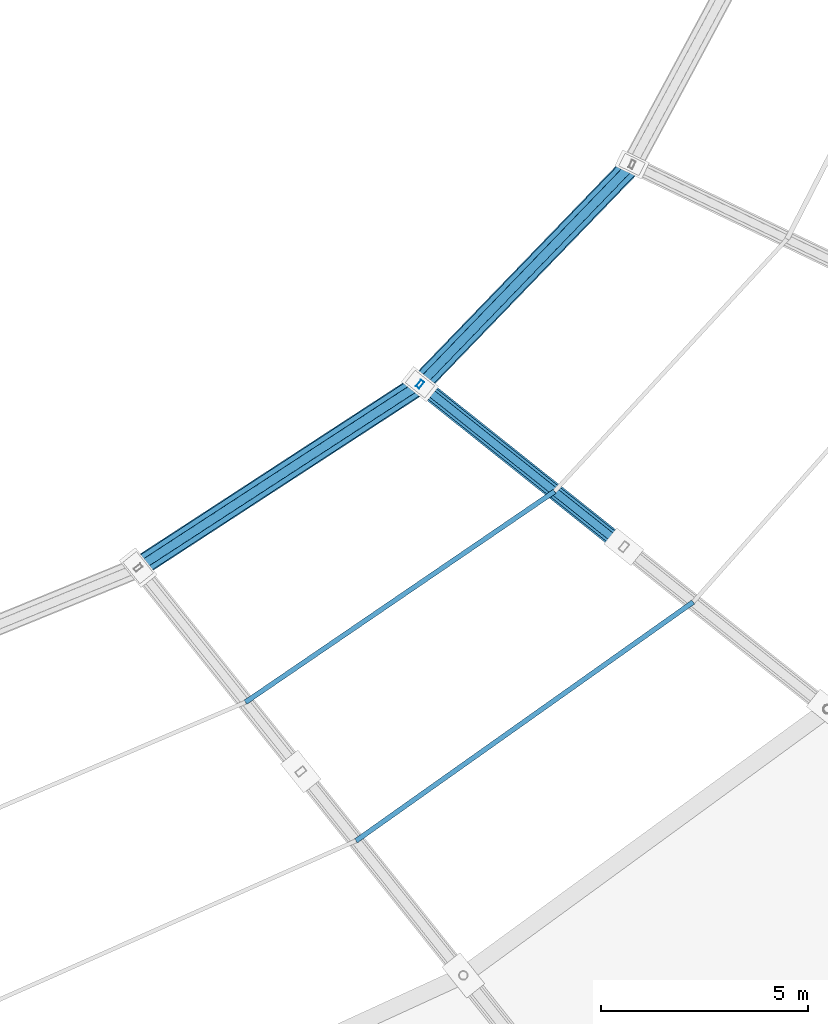
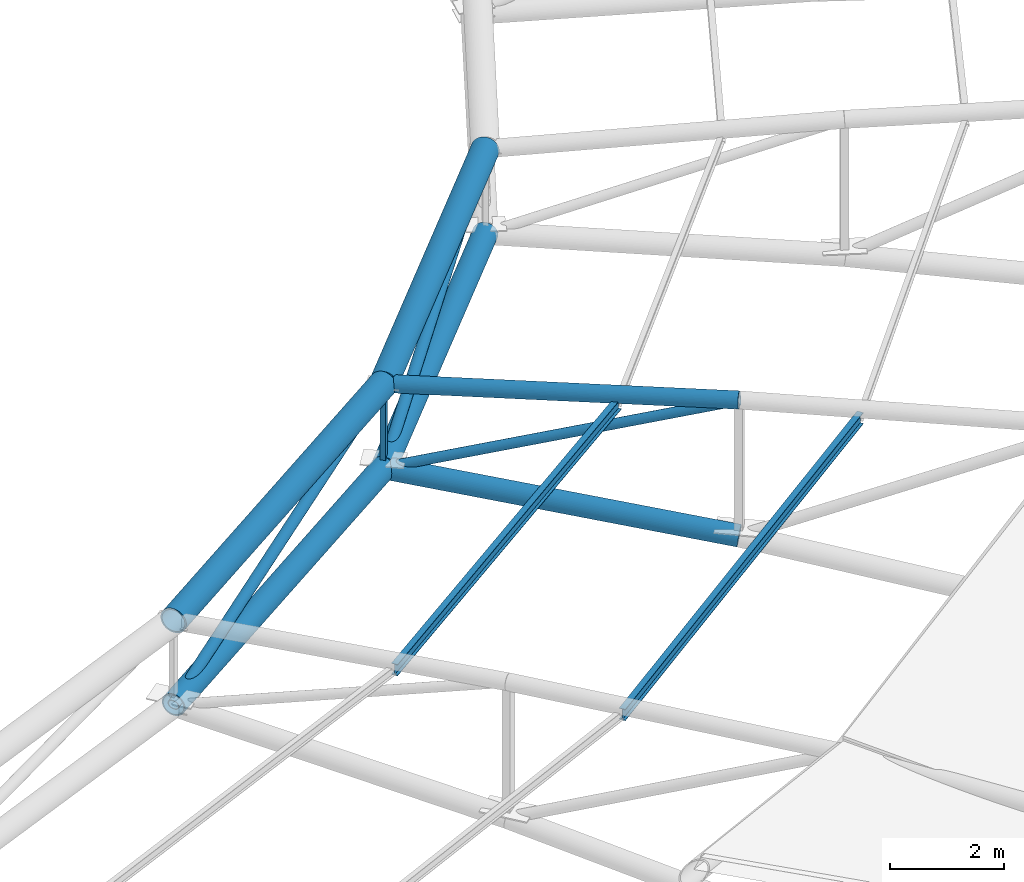
# One storey, part 28 of 108: 12 members.
"""IFC4 building model written with IfcOpenShell, lengths in metres."""

from ifc_helpers import new_model, si_unit, direction, frame, origin, origin_2d, place, context, subcontext, project, spatial, hollow_rectangle, hollow_circle, i_section, extrude, material, material_profile, profile_set, type_object, element, save


model = new_model("IFC4")

# Units and contexts
model_context = context("Model", 3, precision=1e-05, world=origin(), true_north=direction((0.0, 1.0)))
body_context = subcontext(model_context, "Body", "Model", "MODEL_VIEW")
ifc_project = project(units=[si_unit("LENGTHUNIT", "METRE"), si_unit("AREAUNIT", "SQUARE_METRE"), si_unit("VOLUMEUNIT", "CUBIC_METRE"), si_unit("PLANEANGLEUNIT", "RADIAN"), si_unit("MASSUNIT", "GRAM", prefix="KILO")], contexts=[model_context])

# Site, building, storey
site_placement = place(None, origin())
site = spatial("IfcSite", under=ifc_project, at=site_placement, CompositionType="ELEMENT")
building_placement = place(site_placement, origin())
building = spatial("IfcBuilding", under=site, at=building_placement, Name="Zevraka Park Crest Stadium", CompositionType="ELEMENT")
storey_placement = place(building_placement, frame((0.0, 0.0, 29.39990234375)))
storey = spatial("IfcBuildingStorey", under=building, at=storey_placement, Name="RF", CompositionType="ELEMENT", Elevation=29.39990234375)

# Members
ifc_material_1 = material(Name="Steel S355", Category="steel")
ifc_material_profile_1 = material_profile(ifc_material_1, i_section(OverallWidth=0.1201171875, OverallDepth=0.239990234375, WebThickness=0.006103515625, FlangeThickness=0.009765625, at=origin_2d()), Name="IPE 240")
ifc_profile_set_1 = profile_set([ifc_material_profile_1], Name="Steel S355")
member_type_1 = type_object("IfcMemberType", Name="PR01", PredefinedType="PURLIN", material=ifc_profile_set_1)
member_1_placement = place(storey_placement, frame((144.073974609375, 63.509033203125, 9.153076171875), z_axis=(0.816040825272, 0.577994265966, 0.0), x_axis=(-0.577994265966, 0.816040825272, 0.0)))
element("IfcMember", 1, at=member_1_placement, inside=storey, type_object=member_type_1, Name="Canopy Roof Purlin PR01 INNER-25-1", PredefinedType="PURLIN", context=body_context, shape_type="SweptSolid", body=[
    extrude(i_section(OverallWidth=0.1201171875, OverallDepth=0.239990234375, WebThickness=0.006103515625, FlangeThickness=0.009765625, at=origin_2d()), origin(), (0.0, 0.0, 1.0), 9.981201171875),
])
member_2_placement = place(storey_placement, frame((141.402099609375, 66.85791015625, 9.01708984375), z_axis=(0.82621648522, 0.563352748774, 0.0), x_axis=(-0.563352748774, 0.82621648522, 0.0)))
element("IfcMember", 2, at=member_2_placement, inside=storey, type_object=member_type_1, Name="Canopy Roof Purlin PR01 INNER-25-2", PredefinedType="PURLIN", context=body_context, shape_type="SweptSolid", body=[
    extrude(i_section(OverallWidth=0.1201171875, OverallDepth=0.239990234375, WebThickness=0.006103515625, FlangeThickness=0.009765625, at=origin_2d()), origin(), (0.0, 0.0, 1.0), 9.038818359375),
])
ifc_material_2 = material(Name="Steel S355", Category="steel")
ifc_material_profile_2 = material_profile(ifc_material_2, hollow_circle(Radius=0.25390625, WallThickness=0.030029296875, at=origin_2d()), Name="CHS 508.0x30")
ifc_profile_set_2 = profile_set([ifc_material_profile_2], Name="Steel S355")
member_type_2 = type_object("IfcMemberType", Name="TC01", PredefinedType="CHORD", material=ifc_profile_set_2)
member_3_placement = place(storey_placement, frame((138.81005859375, 70.10888671875, 9.0), z_axis=(0.838029398843, 0.545625078855, 0.0), x_axis=(-0.545625078855, 0.838029398843, 0.0)))
element("IfcMember", 3, at=member_3_placement, inside=storey, type_object=member_type_2, Name="Roof Inner Oculus Compression-Tension Ring TC01 25", PredefinedType="CHORD", context=body_context, shape_type="SweptSolid", body=[
    extrude(hollow_circle(Radius=0.25390625, WallThickness=0.030029296875, at=origin_2d()), origin(), (0.0, 0.0, 1.0), 8.124755859375),
])
member_4_placement = place(storey_placement, frame((145.618896484375, 74.5419921875, 9.0), z_axis=(0.694386610614, 0.7196021366, 0.0), x_axis=(-0.7196021366, 0.694386610614, 0.0)))
element("IfcMember", 4, at=member_4_placement, inside=storey, type_object=member_type_2, Name="Roof Inner Oculus Compression-Tension Ring TC01 26", PredefinedType="CHORD", context=body_context, shape_type="SweptSolid", body=[
    extrude(hollow_circle(Radius=0.25390625, WallThickness=0.030029296875, at=origin_2d()), origin(), (0.0, 0.0, 1.0), 7.377685546875),
])
ifc_material_3 = material(Name="Steel S355", Category="steel")
ifc_material_profile_3 = material_profile(ifc_material_3, hollow_circle(Radius=0.228515625, WallThickness=0.02490234375, at=origin_2d()), Name="CHS 457.0x25")
ifc_profile_set_3 = profile_set([ifc_material_profile_3], Name="Steel S355")
member_type_3 = type_object("IfcMemberType", Name="TC02", PredefinedType="CHORD", material=ifc_profile_set_3)
member_5_placement = place(storey_placement, frame((138.81005859375, 70.10888671875, 7.2001953125), z_axis=(0.838029398843, 0.545625078855, 0.0), x_axis=(-0.545625078855, 0.838029398843, 0.0)))
element("IfcMember", 5, at=member_5_placement, inside=storey, type_object=member_type_3, Name="Roof Inner Oculus Bottom Ring TC02 25", PredefinedType="CHORD", context=body_context, shape_type="SweptSolid", body=[
    extrude(hollow_circle(Radius=0.228515625, WallThickness=0.02490234375, at=origin_2d()), origin(), (0.0, 0.0, 1.0), 8.124755859375),
])
member_6_placement = place(storey_placement, frame((145.618896484375, 74.5419921875, 7.2001953125), z_axis=(0.694386610614, 0.7196021366, 0.0), x_axis=(-0.7196021366, 0.694386610614, 0.0)))
element("IfcMember", 6, at=member_6_placement, inside=storey, type_object=member_type_3, Name="Roof Inner Oculus Bottom Ring TC02 26", PredefinedType="CHORD", context=body_context, shape_type="SweptSolid", body=[
    extrude(hollow_circle(Radius=0.228515625, WallThickness=0.02490234375, at=origin_2d()), origin(), (0.0, 0.0, 1.0), 7.377685546875),
])
ifc_material_4 = material(Name="Steel S355", Category="steel")
ifc_material_profile_4 = material_profile(ifc_material_4, hollow_circle(Radius=0.203125, WallThickness=0.02001953125, at=origin_2d()), Name="CHS 406.4x20")
ifc_profile_set_4 = profile_set([ifc_material_profile_4], Name="Steel S355")
member_type_4 = type_object("IfcMemberType", Name="TC03", PredefinedType="CHORD", material=ifc_profile_set_4)
member_7_placement = place(storey_placement, frame((150.5439453125, 70.614013671875, 6.400146484375), z_axis=(-0.775572281546, 0.618558590086, 0.125987724514), x_axis=(-0.623526977414, -0.781801834506, 0.0)))
element("IfcMember", 7, at=member_7_placement, inside=storey, type_object=member_type_4, Name="Roof Truss Bottom Chord TC03 T26-7", PredefinedType="CHORD", context=body_context, shape_type="SweptSolid", body=[
    extrude(hollow_circle(Radius=0.203125, WallThickness=0.02001953125, at=origin_2d()), origin(), (0.0, 0.0, 1.0), 6.35009765625),
])
ifc_material_5 = material(Name="Steel S355", Category="steel")
ifc_material_profile_5 = material_profile(ifc_material_5, hollow_circle(Radius=0.161865234375, WallThickness=0.01611328125, at=origin_2d()), Name="CHS 323.9x16")
ifc_profile_set_5 = profile_set([ifc_material_profile_5], Name="Steel S355")
member_type_5 = type_object("IfcMemberType", Name="TC04", PredefinedType="CHORD", material=ifc_profile_set_5)
member_8_placement = place(storey_placement, frame((150.5439453125, 70.614013671875, 9.300048828125), z_axis=(-0.78091654628, 0.622820914742, -0.047575791175), x_axis=(-0.623526977414, -0.781801834506, 0.0)))
element("IfcMember", 8, at=member_8_placement, inside=storey, type_object=member_type_5, Name="Roof Truss Top Chord TC04 T26-7", PredefinedType="CHORD", context=body_context, shape_type="SweptSolid", body=[
    extrude(hollow_circle(Radius=0.161865234375, WallThickness=0.01611328125, at=origin_2d()), origin(), (0.0, 0.0, 1.0), 6.306640625),
])
ifc_material_6 = material(Name="Steel S355", Category="steel")
ifc_material_profile_6 = material_profile(ifc_material_6, hollow_circle(Radius=0.109619140625, WallThickness=0.010009765625, at=origin_2d()), Name="CHS 219.1x10")
ifc_profile_set_6 = profile_set([ifc_material_profile_6], Name="Steel S355")
member_type_6 = type_object("IfcMemberType", Name="WB02", PredefinedType="BRACE", material=ifc_profile_set_6)
member_9_placement = place(storey_placement, frame((138.81005859375, 70.10888671875, 7.2001953125), z_axis=(0.81819505731, 0.53271131452, 0.216276451737), x_axis=(-0.545625078855, 0.838029398843, 0.0)))
element("IfcMember", 9, at=member_9_placement, inside=storey, type_object=member_type_6, Name="Roof Oculus Ring Brace WB02 25", PredefinedType="BRACE", context=body_context, shape_type="SweptSolid", body=[
    extrude(hollow_circle(Radius=0.109619140625, WallThickness=0.010009765625, at=origin_2d()), origin(), (0.0, 0.0, 1.0), 8.32177734375),
])
member_10_placement = place(storey_placement, frame((145.618896484375, 74.5419921875, 7.2001953125), z_axis=(0.674603540831, 0.699100676655, 0.236998537124), x_axis=(-0.7196021366, 0.694386610614, 0.0)))
element("IfcMember", 10, at=member_10_placement, inside=storey, type_object=member_type_6, Name="Roof Oculus Ring Brace WB02 26", PredefinedType="BRACE", context=body_context, shape_type="SweptSolid", body=[
    extrude(hollow_circle(Radius=0.109619140625, WallThickness=0.010009765625, at=origin_2d()), origin(), (0.0, 0.0, 1.0), 7.59423828125),
])
ifc_material_7 = material(Name="Steel S355", Category="steel")
ifc_material_profile_7 = material_profile(ifc_material_7, hollow_rectangle(XDim=0.10009765625, YDim=0.199951171875, WallThickness=0.008056640625, at=origin_2d()), Name="RHS 200x100x8")
ifc_profile_set_7 = profile_set([ifc_material_profile_7], Name="Steel S355")
member_type_7 = type_object("IfcMemberType", Name="WB05", PredefinedType="BRACE", material=ifc_profile_set_7)
member_11_placement = place(storey_placement, frame((145.618896484375, 74.5419921875, 7.2001953125), z_axis=(0.0, 0.0, 1.0), x_axis=(-0.781847027868, 0.623470308046, 0.0)))
element("IfcMember", 11, at=member_11_placement, inside=storey, type_object=member_type_7, Name="Roof Truss Web Post WB05 T26-7", PredefinedType="BRACE", context=body_context, shape_type="SweptSolid", body=[
    extrude(hollow_rectangle(XDim=0.10009765625, YDim=0.199951171875, WallThickness=0.008056640625, at=origin_2d()), origin(), (0.0, 0.0, 1.0), 1.7998046875),
])
ifc_material_8 = material(Name="Steel S355", Category="steel")
ifc_material_profile_8 = material_profile(ifc_material_8, hollow_circle(Radius=0.096923828125, WallThickness=0.010009765625, at=origin_2d()), Name="CHS 193.7x10")
ifc_profile_set_8 = profile_set([ifc_material_profile_8], Name="Steel S355")
member_type_8 = type_object("IfcMemberType", Name="WB08", PredefinedType="BRACE", material=ifc_profile_set_8)
member_12_placement = place(storey_placement, frame((145.618896484375, 74.5419921875, 7.2001953125), z_axis=(0.741682957745, -0.591530119821, 0.316225406214), x_axis=(0.623526977414, 0.781801834506, 0.0)))
element("IfcMember", 12, at=member_12_placement, inside=storey, type_object=member_type_8, Name="Roof Truss Web Diagonal WB08 T26-7", PredefinedType="BRACE", context=body_context, shape_type="SweptSolid", body=[
    extrude(hollow_circle(Radius=0.096923828125, WallThickness=0.010009765625, at=origin_2d()), origin(), (0.0, 0.0, 1.0), 6.640380859375),
])

save(model, "model.ifc")
